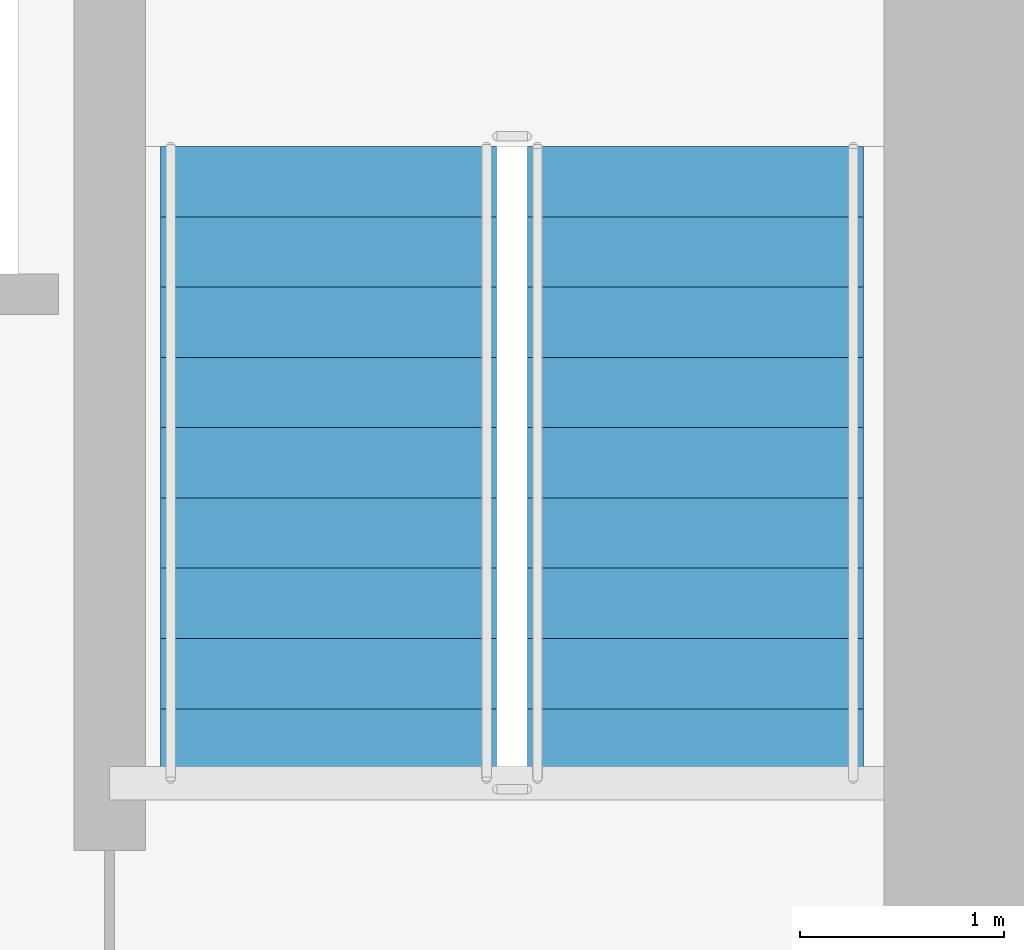
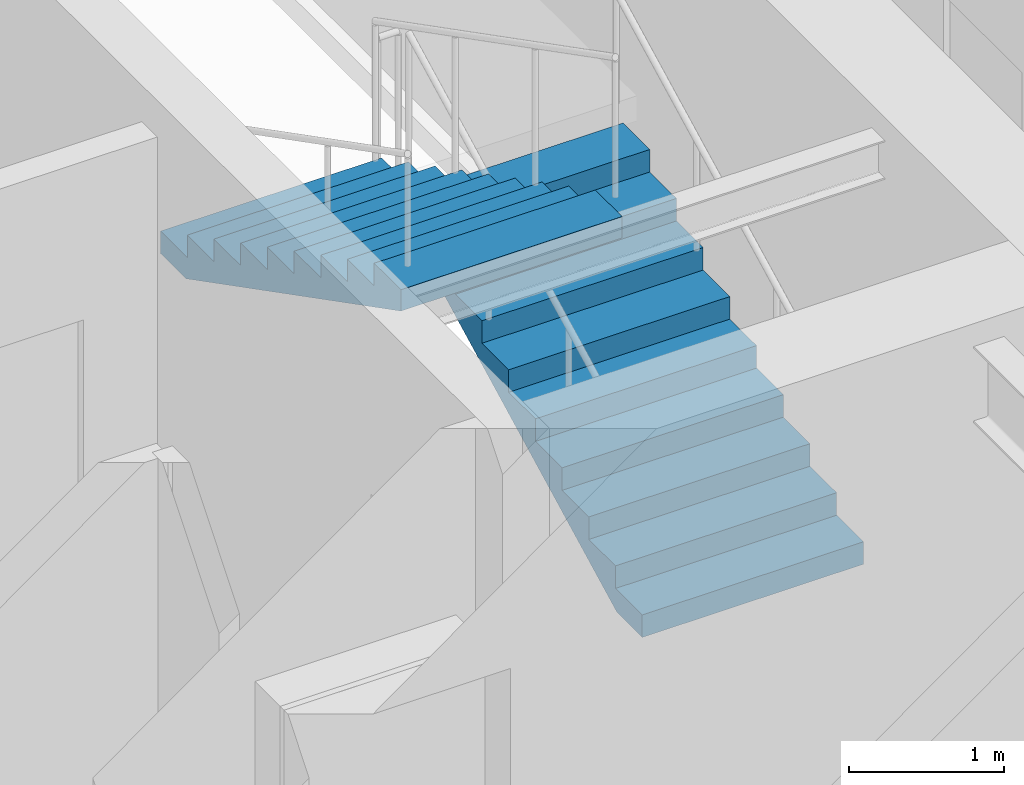
# One storey, part 21 of 26: 2 stair flights, 1 element without a shape of its own.
"""IFC4 building model written with IfcOpenShell, lengths in metres."""

from ifc_helpers import new_model, si_unit, direction, frame, origin, place, context, subcontext, project, spatial, polyline, outline, extrude, material, type_object, element, aggregate, save


model = new_model("IFC4")

# Units and contexts
model_context = context("Model", 3, precision=1e-05, world=origin(), true_north=direction((0.0, 1.0)))
body_context = subcontext(model_context, "Body", "Model", "MODEL_VIEW")
ifc_project = project(units=[si_unit("LENGTHUNIT", "METRE"), si_unit("AREAUNIT", "SQUARE_METRE"), si_unit("VOLUMEUNIT", "CUBIC_METRE"), si_unit("PLANEANGLEUNIT", "RADIAN"), si_unit("MASSUNIT", "GRAM", prefix="KILO")], contexts=[model_context])

# Site, building, storey
site_placement = place(None, origin())
site = spatial("IfcSite", under=ifc_project, at=site_placement, CompositionType="ELEMENT")
building_placement = place(site_placement, origin())
building = spatial("IfcBuilding", under=site, at=building_placement, Name="Tolvann Quenvar Hotel", CompositionType="ELEMENT")
storey_placement = place(building_placement, frame((0.0, 0.0, 168.35009765625)))
storey = spatial("IfcBuildingStorey", under=building, at=storey_placement, Name="L44", CompositionType="ELEMENT", Elevation=168.35009765625)

# Stair, stair flights
ifc_material = material(Name="Concrete N40 (40 MPa)", Category="concrete")
stair_type = type_object("IfcStairType", Name="STAIR", PredefinedType="HALF_TURN_STAIR", material=ifc_material)
stair_placement = place(storey_placement, origin())
stair = element("IfcStair", 1, at=stair_placement, inside=storey, type_object=stair_type, Name="L44 ST-C2", PredefinedType="HALF_TURN_STAIR")
stair_flight_type = type_object("IfcStairFlightType", Name="STAIR_FLIGHT", PredefinedType="STRAIGHT", material=ifc_material)
stair_flight_1_placement = place(storey_placement, frame((34.574951171875, 34.0, 0.0), z_axis=(0.0, 0.0, 1.0), x_axis=(0.0, 1.0, 0.0)))
stair_flight_1 = element("IfcStairFlight", 2, at=stair_flight_1_placement, type_object=stair_flight_type, Name="ST-C2 flight 1", NumberOfRisers=10, NumberOfTreads=9, PredefinedType="STRAIGHT", RiserHeight=0.1775, TreadLength=0.345, context=body_context, shape_type="SweptSolid", body=[
    extrude(outline(polyline([(0.0, 0.0), (0.0, 0.177490234375), (0.344970703125, 0.177490234375), (0.344970703125, 0.35498046875), (0.68994140625, 0.35498046875), (0.68994140625, 0.532470703125), (1.034912109375, 0.532470703125), (1.034912109375, 0.7099609375), (1.3798828125, 0.7099609375), (1.3798828125, 0.887451171875), (1.72509765625, 0.887451171875), (1.72509765625, 1.06494140625), (2.070068359375, 1.06494140625), (2.070068359375, 1.242431640625), (2.4150390625, 1.242431640625), (2.4150390625, 1.419921875), (2.760009765625, 1.419921875), (2.760009765625, 1.597412109375), (3.10498046875, 1.597412109375), (3.10498046875, 1.77490234375), (3.10498046875, 1.428955078125), (0.32763671875, 0.0), (0.0, 0.0)])), frame((0.0, 0.824951171875, 0.0), z_axis=(0.0, -1.0, 0.0), x_axis=(1.0, 0.0, 0.0)), (0.0, 0.0, 1.0), 1.64990234375),
])
stair_flight_2_placement = place(storey_placement, frame((32.77490234375, 37.10498046875, 1.77490234375), z_axis=(0.0, 0.0, 1.0), x_axis=(0.0, -1.0, 0.0)))
stair_flight_2 = element("IfcStairFlight", 3, at=stair_flight_2_placement, type_object=stair_flight_type, Name="ST-C2 flight 2", NumberOfRisers=10, NumberOfTreads=9, PredefinedType="STRAIGHT", RiserHeight=0.1775, TreadLength=0.345, context=body_context, shape_type="SweptSolid", body=[
    extrude(outline(polyline([(0.0, 0.0), (0.0, 0.177490234375), (0.344970703125, 0.177490234375), (0.344970703125, 0.35498046875), (0.68994140625, 0.35498046875), (0.68994140625, 0.532470703125), (1.034912109375, 0.532470703125), (1.034912109375, 0.7099609375), (1.3798828125, 0.7099609375), (1.3798828125, 0.887451171875), (1.72509765625, 0.887451171875), (1.72509765625, 1.06494140625), (2.070068359375, 1.06494140625), (2.070068359375, 1.242431640625), (2.4150390625, 1.242431640625), (2.4150390625, 1.419921875), (2.760009765625, 1.419921875), (2.760009765625, 1.597412109375), (3.10498046875, 1.597412109375), (3.10498046875, 1.77490234375), (3.10498046875, 1.428955078125), (0.32763671875, 0.0), (0.0, 0.0)])), frame((0.0, 0.824951171875, 0.0), z_axis=(0.0, -1.0, 0.0), x_axis=(1.0, 0.0, 0.0)), (0.0, 0.0, 1.0), 1.64990234375),
])
aggregate(stair, [stair_flight_1, stair_flight_2])

save(model, "model.ifc")
